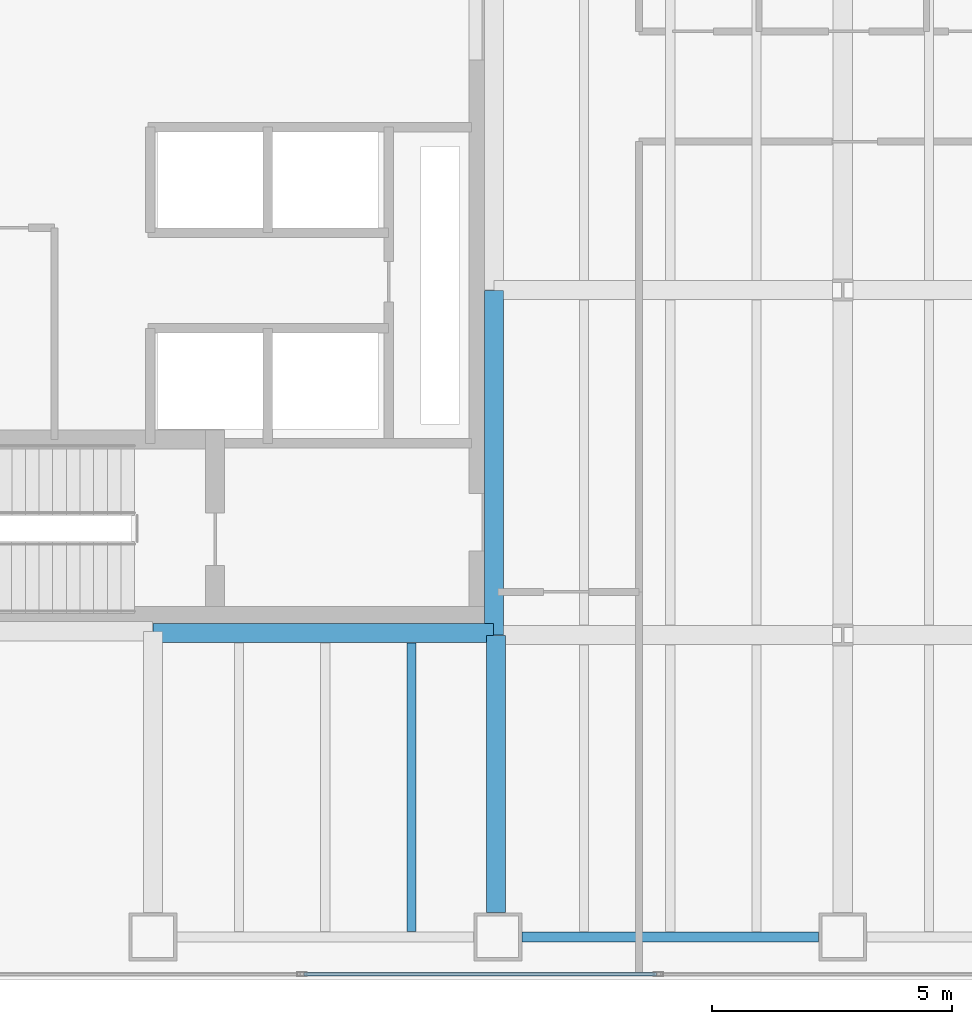
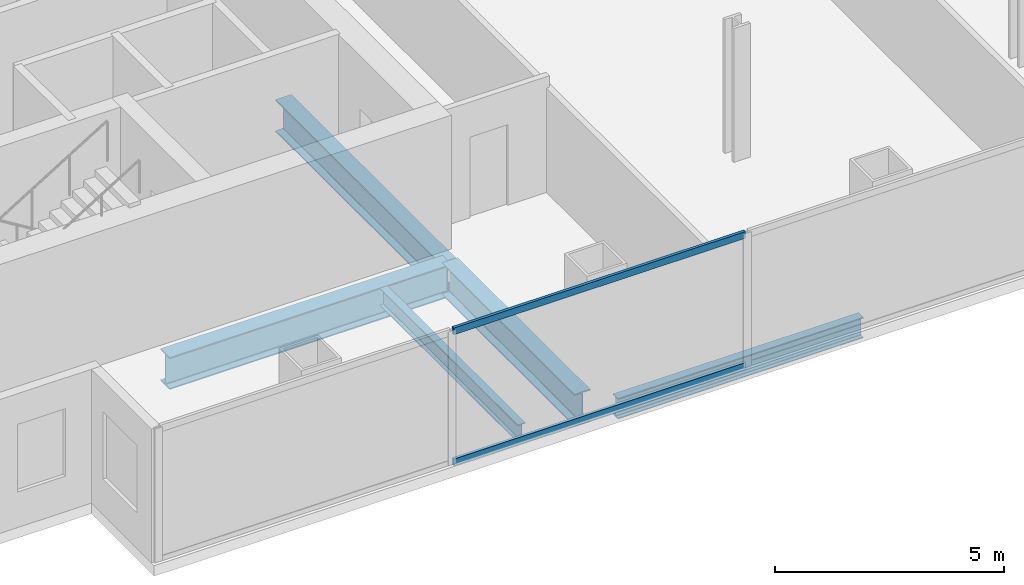
# One storey, part 3 of 23: 5 beams, 2 members, 1 element without a shape of its own.
"""IFC4 building model written with IfcOpenShell, lengths in metres."""

from ifc_helpers import new_model, si_unit, direction, frame, origin, origin_2d, place, context, subcontext, project, spatial, hollow_rectangle, i_section, extrude, material, material_profile, profile_set, type_object, element, aggregate, save


model = new_model("IFC4")

# Units and contexts
model_context = context("Model", 3, precision=1e-05, world=origin(), true_north=direction((0.0, 1.0)))
body_context = subcontext(model_context, "Body", "Model", "MODEL_VIEW")
ifc_project = project(units=[si_unit("LENGTHUNIT", "METRE"), si_unit("AREAUNIT", "SQUARE_METRE"), si_unit("VOLUMEUNIT", "CUBIC_METRE"), si_unit("PLANEANGLEUNIT", "RADIAN"), si_unit("MASSUNIT", "GRAM", prefix="KILO")], contexts=[model_context])

# Site, building, storey
site_placement = place(None, origin())
site = spatial("IfcSite", under=ifc_project, at=site_placement, CompositionType="ELEMENT")
building_placement = place(site_placement, origin())
building = spatial("IfcBuilding", under=site, at=building_placement, Name="Cobrela Telecom Tower", CompositionType="ELEMENT")
storey_placement = place(building_placement, frame((0.0, 0.0, 73.5)))
storey = spatial("IfcBuildingStorey", under=building, at=storey_placement, Name="L18", CompositionType="ELEMENT", Elevation=73.5)

# Beams
ifc_material_1 = material(Name="Steel ASTM A992 Grade 50", Category="steel")
ifc_material_profile_1 = material_profile(ifc_material_1, i_section(OverallWidth=0.39892578125, OverallDepth=0.85595703125, WebThickness=0.018310546875, FlangeThickness=0.029296875, FilletRadius=0.02001953125, at=origin_2d()), Name="W33X201")
ifc_profile_set_1 = profile_set([ifc_material_profile_1], Name="Steel ASTM A992 Grade 50")
beam_type_1 = type_object("IfcBeamType", Name="BM-GIRD-03", PredefinedType="USERDEFINED", material=ifc_profile_set_1)
beam_1_placement = place(storey_placement, frame((7.205078125, 7.239990234375, -0.7080078125), z_axis=(1.0, 0.0, 0.0), x_axis=(0.0, 1.0, 0.0)))
element("IfcBeam", 1, at=beam_1_placement, inside=storey, type_object=beam_type_1, Name="L18 Primary Girder X07", ObjectType="GIRDER", PredefinedType="USERDEFINED", context=body_context, shape_type="SweptSolid", body=[
    extrude(i_section(OverallWidth=0.39892578125, OverallDepth=0.85595703125, WebThickness=0.018310546875, FlangeThickness=0.029296875, FilletRadius=0.02001953125, at=origin_2d()), origin(), (0.0, 0.0, 1.0), 7.10986328125),
])
beam_2_placement = place(storey_placement, frame((14.360107421875, 1.405029296875, -0.7080078125), z_axis=(0.0, 1.0, 0.0), x_axis=(-1.0, 0.0, 0.0)))
element("IfcBeam", 2, at=beam_2_placement, inside=storey, type_object=beam_type_1, Name="L18 Primary Girder Y34", ObjectType="GIRDER", PredefinedType="USERDEFINED", context=body_context, shape_type="SweptSolid", body=[
    extrude(i_section(OverallWidth=0.39892578125, OverallDepth=0.85595703125, WebThickness=0.018310546875, FlangeThickness=0.029296875, FilletRadius=0.02001953125, at=origin_2d()), origin(), (0.0, 0.0, 1.0), 5.7900390625),
])
beam_3_placement = place(storey_placement, frame((14.320068359375, 7.205078125, -0.7080078125), z_axis=(0.0, 1.0, 0.0), x_axis=(-1.0, 0.0, 0.0)))
element("IfcBeam", 3, at=beam_3_placement, inside=storey, type_object=beam_type_1, Name="L18 Primary Girder Y35", ObjectType="GIRDER", PredefinedType="USERDEFINED", context=body_context, shape_type="SweptSolid", body=[
    extrude(i_section(OverallWidth=0.39892578125, OverallDepth=0.85595703125, WebThickness=0.018310546875, FlangeThickness=0.029296875, FilletRadius=0.02001953125, at=origin_2d()), origin(), (0.0, 0.0, 1.0), 7.18994140625),
])
ifc_material_profile_2 = material_profile(ifc_material_1, i_section(OverallWidth=0.193115234375, OverallDepth=0.467041015625, WebThickness=0.011474609375, FlangeThickness=0.01904296875, FilletRadius=0.012939453125, at=origin_2d()), Name="W18X65")
ifc_profile_set_2 = profile_set([ifc_material_profile_2], Name="Steel ASTM A992 Grade 50")
beam_type_2 = type_object("IfcBeamType", Name="BM-JOIST-03", PredefinedType="JOIST", material=ifc_profile_set_2)
beam_4_placement = place(storey_placement, frame((12.60009765625, 1.011474609375, -0.513427734375), z_axis=(0.0, 1.0, 0.0), x_axis=(-1.0, 0.0, 0.0)))
element("IfcBeam", 4, at=beam_4_placement, inside=storey, type_object=beam_type_2, Name="L18 Secondary Composite Floor Beam J05", PredefinedType="JOIST", context=body_context, shape_type="SweptSolid", body=[
    extrude(i_section(OverallWidth=0.193115234375, OverallDepth=0.467041015625, WebThickness=0.011474609375, FlangeThickness=0.01904296875, FilletRadius=0.012939453125, at=origin_2d()), origin(), (0.0, 0.0, 1.0), 6.02392578125),
])
ifc_material_profile_3 = material_profile(ifc_material_1, i_section(OverallWidth=0.212890625, OverallDepth=0.549072265625, WebThickness=0.0146484375, FlangeThickness=0.023681640625, FilletRadius=0.013916015625, at=origin_2d()), Name="W21X93")
ifc_profile_set_3 = profile_set([ifc_material_profile_3], Name="Steel ASTM A992 Grade 50")
beam_type_3 = type_object("IfcBeamType", Name="BM-SPAND-03", PredefinedType="SPANDREL", material=ifc_profile_set_3)
beam_5_placement = place(storey_placement, frame((14.905029296875, 0.89990234375, -0.554443359375), z_axis=(1.0, 0.0, 0.0), x_axis=(0.0, 1.0, 0.0)))
element("IfcBeam", 5, at=beam_5_placement, inside=storey, type_object=beam_type_3, Name="L18 Perimeter Spandrel X02", PredefinedType="SPANDREL", context=body_context, shape_type="SweptSolid", body=[
    extrude(i_section(OverallWidth=0.212890625, OverallDepth=0.549072265625, WebThickness=0.0146484375, FlangeThickness=0.023681640625, FilletRadius=0.013916015625, at=origin_2d()), origin(), (0.0, 0.0, 1.0), 6.18994140625),
])

# Curtain wall, members
ifc_material_2 = material(Name="Anodized Bronze Aluminium 6063-T6", Category="aluminium")
curtain_wall_type = type_object("IfcCurtainWallType", Name="CW-SYS-DATA", PredefinedType="USERDEFINED", material=ifc_material_2)
curtain_wall_placement = place(storey_placement, origin())
curtain_wall = element("IfcCurtainWall", 6, at=curtain_wall_placement, inside=storey, type_object=curtain_wall_type, Name="L18 Unitised Bronze Curtain Wall 17", ObjectType="UNITISED CURTAIN WALL", PredefinedType="USERDEFINED")
ifc_material_profile_4 = material_profile(ifc_material_2, hollow_rectangle(XDim=0.074951171875, YDim=0.179931640625, WallThickness=0.00390625, at=origin_2d()), Name="ALU 75x180x4")
ifc_profile_set_4 = profile_set([ifc_material_profile_4], Name="Anodized Bronze Aluminium 6063-T6")
member_type = type_object("IfcMemberType", Name="CW-SYS-DATA-TRN", PredefinedType="USERDEFINED", material=ifc_profile_set_4)
member_1_placement = place(storey_placement, frame((17.716552734375, 0.1201171875, 0.03759765625), z_axis=(-1.0, 0.0, 0.0), x_axis=(0.0, -1.0, 0.0)))
member_1 = element("IfcMember", 7, at=member_1_placement, type_object=member_type, Name="CW-DATA transom 5.1", ObjectType="TRANSOM", PredefinedType="USERDEFINED", context=body_context, shape_type="SweptSolid", body=[
    extrude(hollow_rectangle(XDim=0.074951171875, YDim=0.179931640625, WallThickness=0.00390625, at=origin_2d()), origin(), (0.0, 0.0, 1.0), 7.36328125),
])
member_2_placement = place(storey_placement, frame((17.716552734375, 0.1201171875, 3.532470703125), z_axis=(-1.0, 0.0, 0.0), x_axis=(0.0, -1.0, 0.0)))
member_2 = element("IfcMember", 8, at=member_2_placement, type_object=member_type, Name="CW-DATA transom 5.2", ObjectType="TRANSOM", PredefinedType="USERDEFINED", context=body_context, shape_type="SweptSolid", body=[
    extrude(hollow_rectangle(XDim=0.074951171875, YDim=0.179931640625, WallThickness=0.00390625, at=origin_2d()), origin(), (0.0, 0.0, 1.0), 7.36328125),
])
aggregate(curtain_wall, [member_1, member_2])

save(model, "model.ifc")
